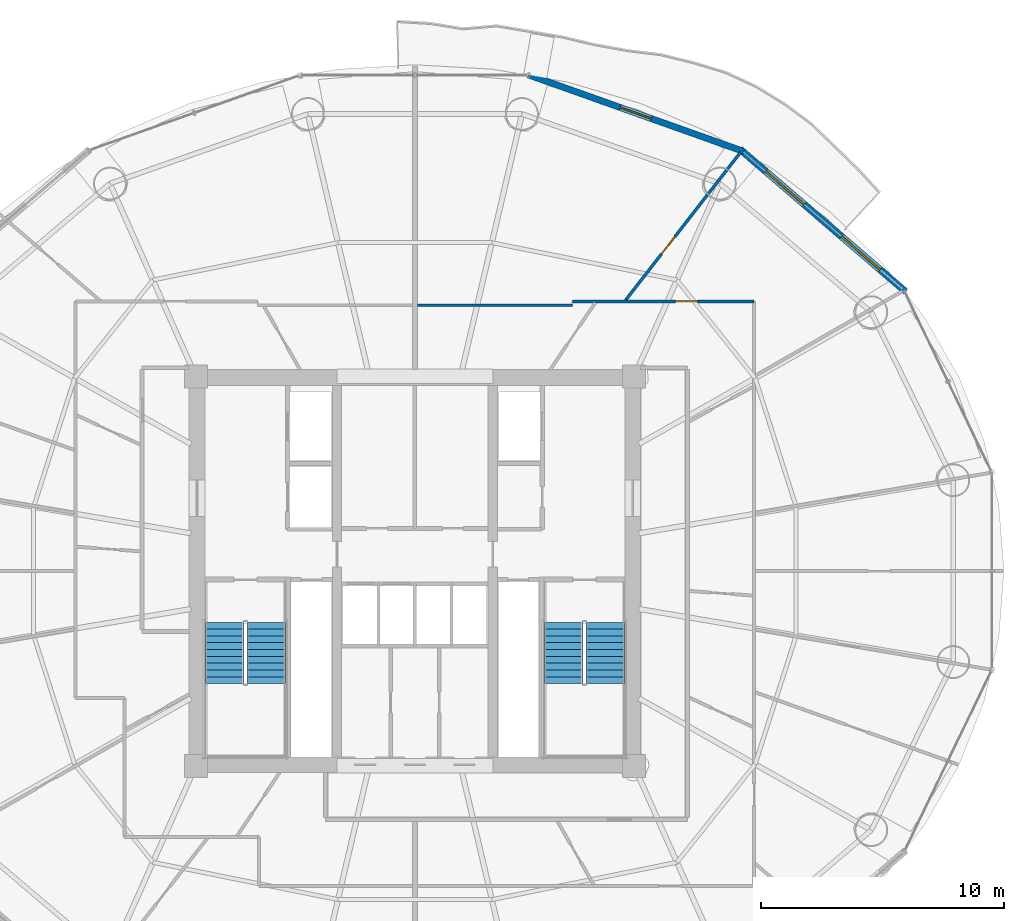
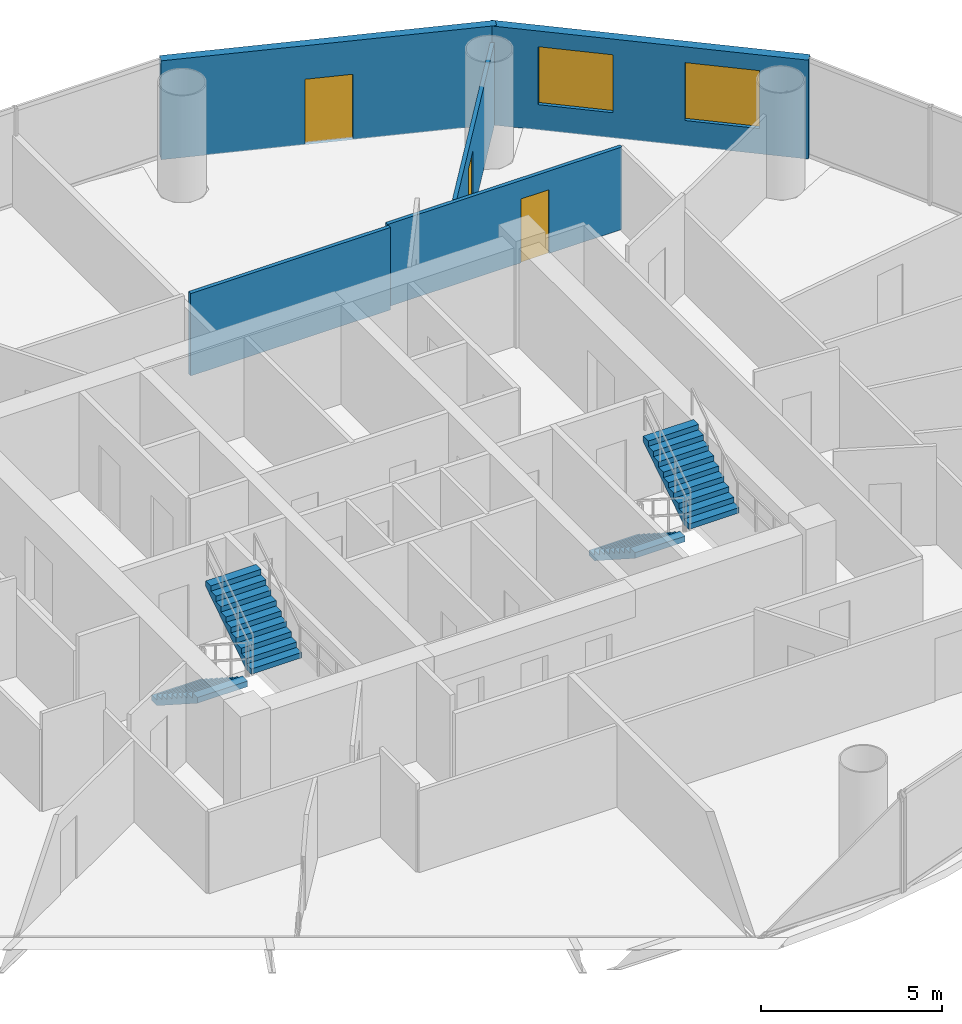
# One storey, part 23 of 26: 5 walls, 4 stair flights, 3 doors, 2 windows, 5 openings, 2 elements without a shape of their own.
"""IFC4 building model written with IfcOpenShell, lengths in metres."""

from ifc_helpers import new_model, si_unit, direction, frame, frame_2d, origin, place, context, subcontext, project, spatial, polyline, rectangle, outline, extrude, source, transform, mapped, material, layer, layer_set, type_object, element, fill, aggregate, save


model = new_model("IFC4")

# Units and contexts
model_context = context("Model", 3, precision=1e-05, world=origin(), true_north=direction((-0.2419218956, 0.970295726276)))
body_context = subcontext(model_context, "Body", "Model", "MODEL_VIEW")
ifc_project = project(units=[si_unit("LENGTHUNIT", "METRE"), si_unit("AREAUNIT", "SQUARE_METRE"), si_unit("VOLUMEUNIT", "CUBIC_METRE"), si_unit("PLANEANGLEUNIT", "RADIAN"), si_unit("MASSUNIT", "GRAM", prefix="KILO")], contexts=[model_context])

# Site, building, storey
site_placement = place(None, origin())
site = spatial("IfcSite", under=ifc_project, at=site_placement, CompositionType="ELEMENT")
building_placement = place(site_placement, origin())
building = spatial("IfcBuilding", under=site, at=building_placement, Name="Cobrevalo Terracotta Tower", CompositionType="ELEMENT")
storey_placement = place(building_placement, frame((0.0, 0.0, 171.39990234375)))
storey = spatial("IfcBuildingStorey", under=building, at=storey_placement, Name="L45", CompositionType="ELEMENT", Elevation=171.39990234375)

# Wall, openings, windows
ifc_material_1 = material(Name="Autoclaved aerated concrete block", Category="concrete")
ifc_layer_1 = layer(ifc_material_1, 0.280029296875)
ifc_layer_set_1 = layer_set([ifc_layer_1], Name="Autoclaved aerated concrete block")
wall_type_1 = type_object("IfcWallType", Name="Insulated tower spandrel & pier wall 280 mm with terracotta rainscreen", PredefinedType="SOLIDWALL", material=ifc_layer_set_1)
wall_1_placement = place(storey_placement, frame((58.1572265625, 38.287109375, 0.0), z_axis=(0.0, 0.0, 1.0), x_axis=(-0.75843401647, 0.651749831348, 0.0)))
wall_1 = element("IfcWall", 1, at=wall_1_placement, inside=storey, type_object=wall_type_1, Name="L45 terracotta rainscreen pier wall S02", PredefinedType="SOLIDWALL", context=body_context, shape_type="SweptSolid", body=[
    extrude(rectangle(XDim=8.952392578125, YDim=0.280029296875, at=frame_2d((4.47607421875, 0.0))), origin(), (0.0, 0.0, 1.0), 3.330078125),
])
opening_1_placement = place(wall_1_placement, frame((1.3671875, 0.0, 0.85009765625)))
opening_1 = element("IfcOpeningElement", 2, at=opening_1_placement, cuts=wall_1, Name="Opening WN-10", PredefinedType="OPENING", context=body_context, shape_type="SweptSolid", body=[
    extrude(rectangle(XDim=2.10009765625, YDim=1.949951171875, at=frame_2d((1.050048828125, 0.97509765625))), frame((0.0, 0.14990234375, 0.0), z_axis=(0.0, -1.0, 0.0), x_axis=(1.0, 0.0, 0.0)), (0.0, 0.0, 1.0), 0.300048828125),
])
opening_2_placement = place(wall_1_placement, frame((5.4853515625, 0.0, 0.85009765625)))
opening_2 = element("IfcOpeningElement", 3, at=opening_2_placement, cuts=wall_1, Name="Opening WN-10", PredefinedType="OPENING", context=body_context, shape_type="SweptSolid", body=[
    extrude(rectangle(XDim=2.10009765625, YDim=1.949951171875, at=frame_2d((1.050048828125, 0.97509765625))), frame((0.0, 0.14990234375, 0.0), z_axis=(0.0, -1.0, 0.0), x_axis=(1.0, 0.0, 0.0)), (0.0, 0.0, 1.0), 0.300048828125),
])
ifc_material_2 = material(Name="Solar-control low-E double glazing", Category="glass")
window_type = type_object("IfcWindowType", Name="Wide panoramic low-E aluminium window 2100x1950", PartitioningType="SINGLE_PANEL", PredefinedType="WINDOW", material=ifc_material_2)
shared_shape_1 = source(origin(), body_context, "Body", "SweptSolid", [
    extrude(rectangle(XDim=2.10009765625, YDim=1.949951171875, at=frame_2d((1.050048828125, 0.97509765625))), frame((0.0, 0.030029296875, 0.0), z_axis=(0.0, -1.0, 0.0), x_axis=(1.0, 0.0, 0.0)), (0.0, 0.0, 1.0), 0.06005859375),
])
window_1_placement = place(opening_1_placement, origin())
window_1 = element("IfcWindow", 4, at=window_1_placement, inside=storey, type_object=window_type, Name="L45 suite window S02A", OverallHeight=1.949951171875, OverallWidth=2.10009765625, PartitioningType="SINGLE_PANEL", PredefinedType="WINDOW", context=body_context, shape_type="MappedRepresentation", body=[
    mapped(shared_shape_1, transform((0.0, 0.0, 0.0), scale=1.0)),
])
fill(opening_1, window_1)
window_2_placement = place(opening_2_placement, origin())
window_2 = element("IfcWindow", 5, at=window_2_placement, inside=storey, type_object=window_type, Name="L45 suite window S02B", OverallHeight=1.949951171875, OverallWidth=2.10009765625, PartitioningType="SINGLE_PANEL", PredefinedType="WINDOW", context=body_context, shape_type="MappedRepresentation", body=[
    mapped(shared_shape_1, transform((0.0, 0.0, 0.0), scale=1.0)),
])
fill(opening_2, window_2)

# Wall, opening, door
ifc_layer_2 = layer(ifc_material_1, 0.260009765625)
ifc_layer_set_2 = layer_set([ifc_layer_2], Name="Autoclaved aerated concrete block")
wall_type_2 = type_object("IfcWallType", Name="Recessed balcony loggia insulated exterior wall 260 mm", PredefinedType="SOLIDWALL", material=ifc_layer_set_2)
wall_2_placement = place(storey_placement, frame((51.50341796875, 44.042724609375, 0.0), z_axis=(0.0, 0.0, 1.0), x_axis=(-0.942095406405, 0.335344964522, 0.0)))
wall_2 = element("IfcWall", 6, at=wall_2_placement, inside=storey, type_object=wall_type_2, Name="L45 balcony loggia wall S03", PredefinedType="SOLIDWALL", context=body_context, shape_type="SweptSolid", body=[
    extrude(rectangle(XDim=9.408203125, YDim=0.260009765625, at=frame_2d((4.7041015625, 0.0))), origin(), (0.0, 0.0, 1.0), 3.330078125),
])
opening_3_placement = place(wall_2_placement, frame((4.029052734375, 0.0, 0.0)))
opening_3 = element("IfcOpeningElement", 7, at=opening_3_placement, cuts=wall_2, Name="Opening ED-05", PredefinedType="OPENING", context=body_context, shape_type="SweptSolid", body=[
    extrude(rectangle(XDim=1.35009765625, YDim=2.199951171875, at=frame_2d((0.675048828125, 1.10009765625))), frame((0.0, 0.14013671875, 0.0), z_axis=(0.0, -1.0, 0.0), x_axis=(1.0, 0.0, 0.0)), (0.0, 0.0, 1.0), 0.280029296875),
])
ifc_material_3 = material(Name="Anodized aluminium and laminated glass", Category="aluminium")
door_type_1 = type_object("IfcDoorType", Name="Suite balcony acoustic glazed terrace door 1350x2200", OperationType="NOTDEFINED", PredefinedType="DOOR", material=ifc_material_3)
shared_shape_2 = source(origin(), body_context, "Body", "SweptSolid", [
    extrude(rectangle(XDim=1.35009765625, YDim=2.199951171875, at=frame_2d((0.675048828125, 1.10009765625))), frame((0.0, 0.02490234375, 0.0), z_axis=(0.0, -1.0, 0.0), x_axis=(1.0, 0.0, 0.0)), (0.0, 0.0, 1.0), 0.050048828125),
])
door_1_placement = place(opening_3_placement, frame((1.35009765625, 0.0, 0.0), z_axis=(0.0, 0.0, 1.0), x_axis=(-1.0, 0.0, 0.0)))
door_1 = element("IfcDoor", 8, at=door_1_placement, inside=storey, type_object=door_type_1, Name="L45 glazed balcony terrace door 1", OperationType="SINGLE_SWING_LEFT", OverallHeight=2.199951171875, OverallWidth=1.35009765625, PredefinedType="DOOR", context=body_context, shape_type="MappedRepresentation", body=[
    mapped(shared_shape_2, transform((0.0, 0.0, 0.0), scale=1.0)),
])
fill(opening_3, door_1)

# Wall
ifc_material_4 = material(Name="Gypsum board on steel stud", Category="steel")
ifc_layer_3 = layer(ifc_material_4, 0.1201171875)
ifc_layer_set_3 = layer_set([ifc_layer_3], Name="Gypsum board on steel stud")
wall_type_3 = type_object("IfcWallType", Name="Residential internal acoustic stud partition 120 mm", PredefinedType="PARTITIONING", material=ifc_layer_set_3)
wall_3_placement = place(storey_placement, frame((38.10205078125, 37.72509765625, 0.0), z_axis=(0.0, 0.0, 1.0), x_axis=(1.0, 0.0, 0.0)))
element("IfcWall", 9, at=wall_3_placement, inside=storey, type_object=wall_type_3, Name="L45 interior partition IW-L45-U2-RING0_0", PredefinedType="PARTITIONING", context=body_context, shape_type="SweptSolid", body=[
    extrude(rectangle(XDim=6.363037109375, YDim=0.1201171875, at=frame_2d((3.181640625, 0.0))), origin(), (0.0, 0.0, 1.0), 2.776123046875),
])

# Wall, opening, door
wall_4_placement = place(storey_placement, frame((44.465087890625, 37.885009765625, 0.0), z_axis=(0.0, 0.0, 1.0), x_axis=(1.0, 0.0, 0.0)))
wall_4 = element("IfcWall", 10, at=wall_4_placement, inside=storey, type_object=wall_type_3, Name="L45 interior partition IW-L45-U2-RING2_0", PredefinedType="PARTITIONING", context=body_context, shape_type="SweptSolid", body=[
    extrude(rectangle(XDim=7.469970703125, YDim=0.1201171875, at=frame_2d((3.73486328125, 0.0))), origin(), (0.0, 0.0, 1.0), 2.776123046875),
])
opening_4_placement = place(wall_4_placement, frame((4.2412109375, 0.0, 0.0)))
opening_4 = element("IfcOpeningElement", 11, at=opening_4_placement, cuts=wall_4, Name="Opening ID-12", PredefinedType="OPENING", context=body_context, shape_type="SweptSolid", body=[
    extrude(rectangle(XDim=0.89990234375, YDim=2.14990234375, at=frame_2d((0.449951171875, 1.074951171875))), frame((0.0, 0.070068359375, 0.0), z_axis=(0.0, -1.0, 0.0), x_axis=(1.0, 0.0, 0.0)), (0.0, 0.0, 1.0), 0.14013671875),
])
ifc_material_5 = material(Name="Engineered timber", Category="wood")
door_type_2 = type_object("IfcDoorType", Name="Internal residence & suite timber door 900x2150", OperationType="NOTDEFINED", PredefinedType="DOOR", material=ifc_material_5)
shared_shape_3 = source(origin(), body_context, "Body", "SweptSolid", [
    extrude(rectangle(XDim=0.89990234375, YDim=2.14990234375, at=frame_2d((0.449951171875, 1.074951171875))), frame((0.0, 0.02490234375, 0.0), z_axis=(0.0, -1.0, 0.0), x_axis=(1.0, 0.0, 0.0)), (0.0, 0.0, 1.0), 0.050048828125),
])
door_2_placement = place(opening_4_placement, origin())
door_2 = element("IfcDoor", 12, at=door_2_placement, inside=storey, type_object=door_type_2, Name="Flat L45B Penthouse Family Lounge internal door", OperationType="SINGLE_SWING_LEFT", OverallHeight=2.14990234375, OverallWidth=0.89990234375, PredefinedType="DOOR", context=body_context, shape_type="MappedRepresentation", body=[
    mapped(shared_shape_3, transform((0.0, 0.0, 0.0), scale=1.0)),
])
fill(opening_4, door_2)

wall_5_placement = place(storey_placement, frame((46.655517578125, 37.933837890625, 0.0), z_axis=(0.0, 0.0, 1.0), x_axis=(0.613758289074, 0.789493991487, 0.0)))
wall_5 = element("IfcWall", 13, at=wall_5_placement, inside=storey, type_object=wall_type_3, Name="L45 interior partition IW-L45-U2-ORAD5", PredefinedType="PARTITIONING", context=body_context, shape_type="SweptSolid", body=[
    extrude(rectangle(XDim=7.695068359375, YDim=0.1201171875, at=frame_2d((3.84765625, 0.0))), origin(), (0.0, 0.0, 1.0), 2.776123046875),
])
opening_5_placement = place(wall_5_placement, frame((2.399169921875, 0.0, 0.0)))
opening_5 = element("IfcOpeningElement", 14, at=opening_5_placement, cuts=wall_5, Name="Opening ID-12", PredefinedType="OPENING", context=body_context, shape_type="SweptSolid", body=[
    extrude(rectangle(XDim=0.89990234375, YDim=2.14990234375, at=frame_2d((0.449951171875, 1.074951171875))), frame((0.0, 0.070068359375, 0.0), z_axis=(0.0, -1.0, 0.0), x_axis=(1.0, 0.0, 0.0)), (0.0, 0.0, 1.0), 0.14013671875),
])
door_3_placement = place(opening_5_placement, origin())
door_3 = element("IfcDoor", 15, at=door_3_placement, inside=storey, type_object=door_type_2, Name="Flat L45B Private Cinema Room internal door", OperationType="SINGLE_SWING_RIGHT", OverallHeight=2.14990234375, OverallWidth=0.89990234375, PredefinedType="DOOR", context=body_context, shape_type="MappedRepresentation", body=[
    mapped(shared_shape_3, transform((0.0, 0.0, 0.0), scale=1.0)),
])
fill(opening_5, door_3)

# Stair, stair flights
ifc_material_6 = material(Name="Concrete C50", Category="concrete")
stair_type = type_object("IfcStairType", Name="Core protected escape dogleg stair 1600", PredefinedType="HALF_TURN_STAIR", material=ifc_material_6)
stair_1_placement = place(storey_placement, origin())
stair_1 = element("IfcStair", 16, at=stair_1_placement, inside=storey, type_object=stair_type, Name="L45 Protected exit stair ST-1", PredefinedType="HALF_TURN_STAIR")
stair_flight_type = type_object("IfcStairFlightType", Name="Core protected escape dogleg stair 1600 flight", PredefinedType="STRAIGHT", material=ifc_material_6)
stair_flight_1_placement = place(storey_placement, frame((30.175048828125, 24.699951171875, 0.0), z_axis=(0.0, 0.0, 1.0), x_axis=(0.0, -1.0, 0.0)))
stair_flight_1 = element("IfcStairFlight", 17, at=stair_flight_1_placement, type_object=stair_flight_type, Name="ST-1 flight 1", NumberOfRisers=10, NumberOfTreads=9, PredefinedType="STRAIGHT", RiserHeight=0.18, TreadLength=0.28, context=body_context, shape_type="SweptSolid", body=[
    extrude(outline(polyline([(0.0, 0.0), (0.0, 0.179931640625), (0.280029296875, 0.179931640625), (0.280029296875, 0.360107421875), (0.56005859375, 0.360107421875), (0.56005859375, 0.5400390625), (0.840087890625, 0.5400390625), (0.840087890625, 0.719970703125), (1.1201171875, 0.719970703125), (1.1201171875, 0.89990234375), (1.39990234375, 0.89990234375), (1.39990234375, 1.080078125), (1.679931640625, 1.080078125), (1.679931640625, 1.260009765625), (1.9599609375, 1.260009765625), (1.9599609375, 1.43994140625), (2.239990234375, 1.43994140625), (2.239990234375, 1.6201171875), (2.52001953125, 1.6201171875), (2.52001953125, 1.800048828125), (2.52001953125, 1.429931640625), (0.295654296875, 0.0), (0.0, 0.0)])), frame((0.0, 0.800048828125, 0.0), z_axis=(0.0, -1.0, 0.0), x_axis=(1.0, 0.0, 0.0)), (0.0, 0.0, 1.0), 1.60009765625),
])
stair_flight_2_placement = place(storey_placement, frame((31.89501953125, 22.179931640625, 1.800048828125), z_axis=(0.0, 0.0, 1.0), x_axis=(0.0, 1.0, 0.0)))
stair_flight_2 = element("IfcStairFlight", 18, at=stair_flight_2_placement, type_object=stair_flight_type, Name="ST-1 flight 2", NumberOfRisers=10, NumberOfTreads=9, PredefinedType="STRAIGHT", RiserHeight=0.18, TreadLength=0.28, context=body_context, shape_type="SweptSolid", body=[
    extrude(outline(polyline([(0.0, 0.0), (0.0, 0.179931640625), (0.280029296875, 0.179931640625), (0.280029296875, 0.360107421875), (0.56005859375, 0.360107421875), (0.56005859375, 0.5400390625), (0.840087890625, 0.5400390625), (0.840087890625, 0.719970703125), (1.1201171875, 0.719970703125), (1.1201171875, 0.89990234375), (1.39990234375, 0.89990234375), (1.39990234375, 1.080078125), (1.679931640625, 1.080078125), (1.679931640625, 1.260009765625), (1.9599609375, 1.260009765625), (1.9599609375, 1.43994140625), (2.239990234375, 1.43994140625), (2.239990234375, 1.6201171875), (2.52001953125, 1.6201171875), (2.52001953125, 1.800048828125), (2.52001953125, 1.429931640625), (0.295654296875, 0.0), (0.0, 0.0)])), frame((0.0, 0.800048828125, 0.0), z_axis=(0.0, -1.0, 0.0), x_axis=(1.0, 0.0, 0.0)), (0.0, 0.0, 1.0), 1.60009765625),
])
aggregate(stair_1, [stair_flight_1, stair_flight_2])

stair_2_placement = place(storey_placement, origin())
stair_2 = element("IfcStair", 19, at=stair_2_placement, inside=storey, type_object=stair_type, Name="L45 Protected exit stair ST-2", PredefinedType="HALF_TURN_STAIR")
stair_flight_3_placement = place(storey_placement, frame((44.10498046875, 24.699951171875, 0.0), z_axis=(0.0, 0.0, 1.0), x_axis=(0.0, -1.0, 0.0)))
stair_flight_3 = element("IfcStairFlight", 20, at=stair_flight_3_placement, type_object=stair_flight_type, Name="ST-2 flight 1", NumberOfRisers=10, NumberOfTreads=9, PredefinedType="STRAIGHT", RiserHeight=0.18, TreadLength=0.28, context=body_context, shape_type="SweptSolid", body=[
    extrude(outline(polyline([(0.0, 0.0), (0.0, 0.179931640625), (0.280029296875, 0.179931640625), (0.280029296875, 0.360107421875), (0.56005859375, 0.360107421875), (0.56005859375, 0.5400390625), (0.840087890625, 0.5400390625), (0.840087890625, 0.719970703125), (1.1201171875, 0.719970703125), (1.1201171875, 0.89990234375), (1.39990234375, 0.89990234375), (1.39990234375, 1.080078125), (1.679931640625, 1.080078125), (1.679931640625, 1.260009765625), (1.9599609375, 1.260009765625), (1.9599609375, 1.43994140625), (2.239990234375, 1.43994140625), (2.239990234375, 1.6201171875), (2.52001953125, 1.6201171875), (2.52001953125, 1.800048828125), (2.52001953125, 1.429931640625), (0.295654296875, 0.0), (0.0, 0.0)])), frame((0.0, 0.800048828125, 0.0), z_axis=(0.0, -1.0, 0.0), x_axis=(1.0, 0.0, 0.0)), (0.0, 0.0, 1.0), 1.60009765625),
])
stair_flight_4_placement = place(storey_placement, frame((45.824951171875, 22.179931640625, 1.800048828125), z_axis=(0.0, 0.0, 1.0), x_axis=(0.0, 1.0, 0.0)))
stair_flight_4 = element("IfcStairFlight", 21, at=stair_flight_4_placement, type_object=stair_flight_type, Name="ST-2 flight 2", NumberOfRisers=10, NumberOfTreads=9, PredefinedType="STRAIGHT", RiserHeight=0.18, TreadLength=0.28, context=body_context, shape_type="SweptSolid", body=[
    extrude(outline(polyline([(0.0, 0.0), (0.0, 0.179931640625), (0.280029296875, 0.179931640625), (0.280029296875, 0.360107421875), (0.56005859375, 0.360107421875), (0.56005859375, 0.5400390625), (0.840087890625, 0.5400390625), (0.840087890625, 0.719970703125), (1.1201171875, 0.719970703125), (1.1201171875, 0.89990234375), (1.39990234375, 0.89990234375), (1.39990234375, 1.080078125), (1.679931640625, 1.080078125), (1.679931640625, 1.260009765625), (1.9599609375, 1.260009765625), (1.9599609375, 1.43994140625), (2.239990234375, 1.43994140625), (2.239990234375, 1.6201171875), (2.52001953125, 1.6201171875), (2.52001953125, 1.800048828125), (2.52001953125, 1.429931640625), (0.295654296875, 0.0), (0.0, 0.0)])), frame((0.0, 0.800048828125, 0.0), z_axis=(0.0, -1.0, 0.0), x_axis=(1.0, 0.0, 0.0)), (0.0, 0.0, 1.0), 1.60009765625),
])
aggregate(stair_2, [stair_flight_3, stair_flight_4])

save(model, "model.ifc")
